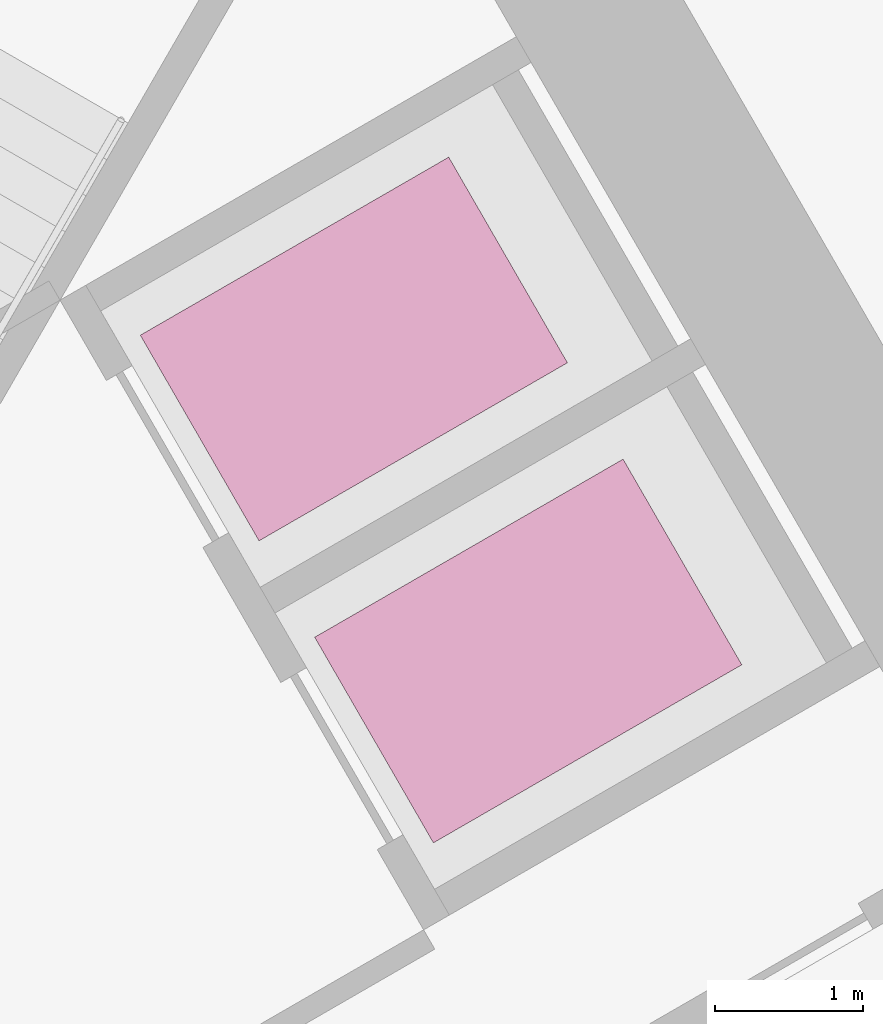
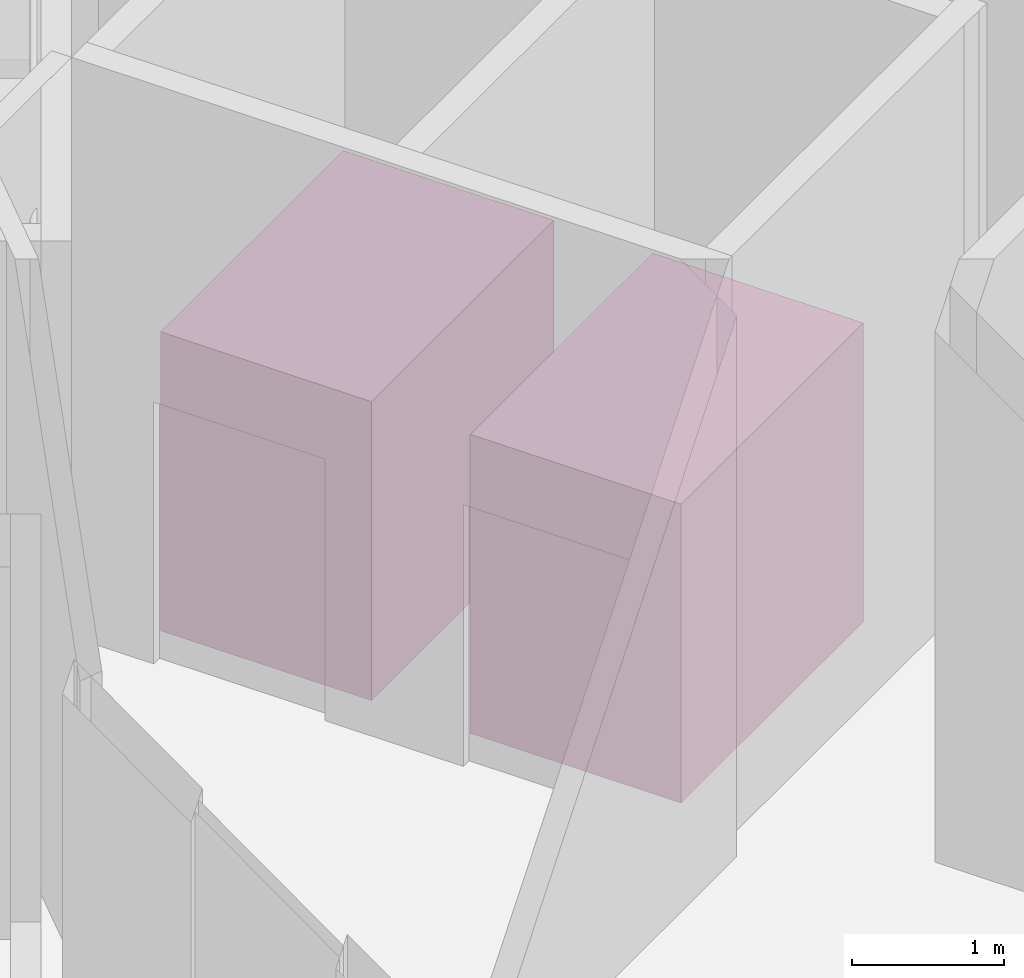
# One storey, part 7 of 7: 2 transport elements.
"""IFC4 building model written with IfcOpenShell, lengths in metres."""

import ifcopenshell
import ifcopenshell.guid

model = None  # the IFC model being written
_history = None  # IfcOwnerHistory: only IFC2X3 demands one
_inside = {}  # id of a spatial element -> (the spatial element, [elements in it])
_under = {}  # id of a project, library or spatial element -> (it, [spatial elements below it])
_declared = {}  # id of a project -> (the project, [libraries it declares])
_typed = {}  # id of a type object -> (the type object, [elements of that type])
_made_of = {}  # id of a material, layer set ... -> (it, [elements and type objects made of it])


def new_model(schema):
    """Start an empty IFC model of exactly this schema.

    Asked for "IFC4X3", IfcOpenShell would pick the latest addendum, in which some entities
    have other attributes; the version numbers below select the first issue.
    IFC2X3 requires an IfcOwnerHistory on every rooted entity: one is made here for all.
    """
    global model, _history
    if schema == "IFC4X3":
        model = ifcopenshell.file(schema_version=(4, 3, 0, 0))
    else:
        model = ifcopenshell.file(schema=schema)
    _inside.clear()
    _under.clear()
    _declared.clear()
    _typed.clear()
    _made_of.clear()
    _history = None
    if model.schema == "IFC2X3":
        org = make("IfcOrganization", Name="unknown")
        user = make(
            "IfcPersonAndOrganization",
            ThePerson=make("IfcPerson", FamilyName="unknown"),
            TheOrganization=org,
        )
        app = make(
            "IfcApplication",
            ApplicationDeveloper=org,
            Version="unknown",
            ApplicationFullName="unknown",
            ApplicationIdentifier="unknown",
        )
        _history = make(
            "IfcOwnerHistory",
            OwningUser=user,
            OwningApplication=app,
            ChangeAction="ADDED",
            CreationDate=0,
        )
    return model


def make(cls, **values):
    """One entity of the class cls with the attributes given. An attribute that is None is left unset."""
    return model.create_entity(
        cls, **{name: value for name, value in values.items() if value is not None}
    )


def rooted(cls, **values):
    """An entity with a GlobalId (a new one), such as an element, a storey or a relation."""
    return make(cls, GlobalId=ifcopenshell.guid.new(), OwnerHistory=_history, **values)


def si_unit(unit_type, name, prefix=None):
    """IfcSIUnit, for example si_unit("LENGTHUNIT", "METRE", prefix="MILLI")."""
    return make("IfcSIUnit", UnitType=unit_type, Prefix=prefix, Name=name)


def assignment(units):
    """IfcUnitAssignment: the units of a project."""
    return None if units is None else make("IfcUnitAssignment", Units=units)


def point(xyz):
    """IfcCartesianPoint."""
    return None if xyz is None else make("IfcCartesianPoint", Coordinates=xyz)


def direction(xyz):
    """IfcDirection."""
    return None if xyz is None else make("IfcDirection", DirectionRatios=xyz)


def frame(location, z_axis=None, x_axis=None):
    """IfcAxis2Placement3D, a coordinate frame: its origin and axes. An axis left out is left unset."""
    return make(
        "IfcAxis2Placement3D",
        Location=point(location),
        Axis=direction(z_axis),
        RefDirection=direction(x_axis),
    )


def frame_2d(location, x_axis=None):
    """IfcAxis2Placement2D, a coordinate frame in the plane: its origin and x axis."""
    return make(
        "IfcAxis2Placement2D", Location=point(location), RefDirection=direction(x_axis)
    )


def origin():
    """The frame at (0, 0, 0) with its axes left unset."""
    return frame((0.0, 0.0, 0.0))


def origin_2d():
    """The frame at (0, 0) in the plane with its x axis left unset."""
    return frame_2d((0.0, 0.0))


def place(relative_to, where):
    """IfcLocalPlacement: puts the frame where relative to a parent placement (None: the world)."""
    return make(
        "IfcLocalPlacement", PlacementRelTo=relative_to, RelativePlacement=where
    )


def context(
    kind, dimensions, precision=None, world=None, true_north=None, identifier=None
):
    """IfcGeometricRepresentationContext, for example the 3D "Model" context."""
    return make(
        "IfcGeometricRepresentationContext",
        ContextIdentifier=identifier,
        ContextType=kind,
        CoordinateSpaceDimension=dimensions,
        Precision=precision,
        WorldCoordinateSystem=world,
        TrueNorth=true_north,
    )


def subcontext(parent, identifier, kind, view, scale=None):
    """IfcGeometricRepresentationSubContext, for example "Body" below "Model"."""
    return make(
        "IfcGeometricRepresentationSubContext",
        ContextIdentifier=identifier,
        ContextType=kind,
        ParentContext=parent,
        TargetScale=scale,
        TargetView=view,
    )


def project(units=None, contexts=None):
    """IfcProject with its units and contexts."""
    return rooted(
        "IfcProject",
        Name="project",
        RepresentationContexts=contexts,
        UnitsInContext=assignment(units),
    )


def spatial(cls, under=None, at=None, **own):
    """A site, building, storey or space (cls), placed at a placement, below another one or the project."""
    s = rooted(cls, ObjectPlacement=at, **own)
    if under is not None:
        _under.setdefault(under.id(), (under, []))[1].append(s)
    return s


def profile(cls, at=None, kind="AREA", **sizes):
    """A parametric profile (cls). Its sizes go by their IFC names, for example OverallWidth=200.0."""
    return make(cls, ProfileType=kind, Position=at, **sizes)


def rectangle(**sizes):
    """IfcRectangleProfileDef."""
    return profile("IfcRectangleProfileDef", **sizes)


def extrude(swept, where, along, depth):
    """IfcExtrudedAreaSolid: the profile swept, set in the frame where, extruded along a direction by depth."""
    return make(
        "IfcExtrudedAreaSolid",
        SweptArea=swept,
        Position=where,
        ExtrudedDirection=direction(along),
        Depth=depth,
    )


def shape(context_of_items, identifier, shape_type, items):
    """IfcShapeRepresentation: the items that make up one representation, for example the "Body"."""
    return make(
        "IfcShapeRepresentation",
        ContextOfItems=context_of_items,
        RepresentationIdentifier=identifier,
        RepresentationType=shape_type,
        Items=items,
    )


def material(Name=None, Category=None):
    """IfcMaterial."""
    return make("IfcMaterial", Name=Name, Category=Category)


def made_of(thing, what):
    """Note that an element or type object is made of a material, layer set ...; save() writes the relation."""
    if what is not None:
        _made_of.setdefault(what.id(), (what, []))[1].append(thing)
    return thing


def type_object(cls, material=None, **own):
    """A type object (cls), such as IfcWallType, which elements share."""
    return made_of(rooted(cls, **own), material)


def element(
    cls,
    number,
    at=None,
    inside=None,
    cuts=None,
    type_object=None,
    material=None,
    context=None,
    identifier="Body",
    shape_type=None,
    held_by="IfcProductDefinitionShape",
    body=None,
    shapes=None,
    **own,
):
    """One element of the class cls, such as IfcWall. Its Tag is "e" and its number.

    at: its placement. inside: the storey or other place that contains it. cuts: it is an
    opening in that element (IfcRelVoidsElement). A single representation is given by context,
    identifier, shape_type and body (its items); several are given by shapes. held_by: the class
    of the entity that holds the representations. save() writes the other relations.
    """
    e = rooted(cls, Tag="e%d" % number, ObjectPlacement=at, **own)
    if body is not None:
        shapes = [shape(context, identifier, shape_type, body)]
    if shapes is not None:
        e.Representation = make(held_by, Representations=shapes)
    if inside is not None:
        _inside.setdefault(inside.id(), (inside, []))[1].append(e)
    if cuts is not None:
        rooted(
            "IfcRelVoidsElement", RelatingBuildingElement=cuts, RelatedOpeningElement=e
        )
    if type_object is not None:
        _typed.setdefault(type_object.id(), (type_object, []))[1].append(e)
    return made_of(e, material)


def aggregate(whole, parts):
    """IfcRelAggregates: a whole, such as a stair, and the parts it consists of."""
    return rooted("IfcRelAggregates", RelatingObject=whole, RelatedObjects=parts)


def save(model, path):
    """Write the relations noted so far, then the file.

    IfcRelAggregates (storeys below a building ...), IfcRelContainedInSpatialStructure (elements
    in a storey), IfcRelDefinesByType, IfcRelAssociatesMaterial and IfcRelDeclares: one each for
    every whole, place, type object, material and project.
    """
    for whole, parts in _under.values():
        aggregate(whole, parts)
    for where, things in _inside.values():
        rooted(
            "IfcRelContainedInSpatialStructure",
            RelatedElements=things,
            RelatingStructure=where,
        )
    for kind, things in _typed.values():
        rooted("IfcRelDefinesByType", RelatedObjects=things, RelatingType=kind)
    for what, things in _made_of.values():
        rooted("IfcRelAssociatesMaterial", RelatedObjects=things, RelatingMaterial=what)
    for by, libraries in _declared.values():
        rooted("IfcRelDeclares", RelatingContext=by, RelatedDefinitions=libraries)
    model.write(path)


model = new_model("IFC4")

# Units and contexts
model_context = context("Model", 3, precision=1e-05, world=origin(), true_north=direction((0.0, 1.0)))
body_context = subcontext(model_context, "Body", "Model", "MODEL_VIEW")
ifc_project = project(units=[si_unit("LENGTHUNIT", "METRE"), si_unit("AREAUNIT", "SQUARE_METRE"), si_unit("VOLUMEUNIT", "CUBIC_METRE"), si_unit("PLANEANGLEUNIT", "RADIAN"), si_unit("MASSUNIT", "GRAM", prefix="KILO")], contexts=[model_context])

# Site, building, storey
site_placement = place(None, origin())
site = spatial("IfcSite", under=ifc_project, at=site_placement, CompositionType="ELEMENT")
building_placement = place(site_placement, origin())
building = spatial("IfcBuilding", under=site, at=building_placement, Name="Tramontana Tower", CompositionType="ELEMENT")
storey_placement = place(building_placement, frame((0.0, 0.0, -5.0)))
storey = spatial("IfcBuildingStorey", under=building, at=storey_placement, Name="B1", CompositionType="ELEMENT", Elevation=-5.0)

# Transport elements
ifc_material = material(Name="LIFT FIRE SERVICE 2000 1600X2400")
transport_element_type = type_object("IfcTransportElementType", Name="LIFT FIRE SERVICE 2000 1600X2400", PredefinedType="ELEVATOR", material=ifc_material)
for number, where, z_axis, x_axis, name in (
    (1, (2.80859375, 2.435546875, 0.0), (0.0, 0.0, 1.0), (-0.5, 0.866025403784, 0.0), "Lift FL1"),
    (2, (1.633544921875, 4.470703125, 0.0), (0.0, 0.0, 1.0), (-0.5, 0.866025403784, 0.0), "Lift FL2"),
):
    element("IfcTransportElement", number, at=place(storey_placement, frame(where, z_axis=z_axis, x_axis=x_axis)), inside=storey, type_object=transport_element_type, Name=name, PredefinedType="ELEVATOR", context=body_context, shape_type="SweptSolid", body=[
        extrude(rectangle(XDim=1.60009765625, YDim=2.39990234375, at=origin_2d()), origin(), (0.0, 0.0, 1.0), 2.39990234375),
    ])

save(model, "model.ifc")
